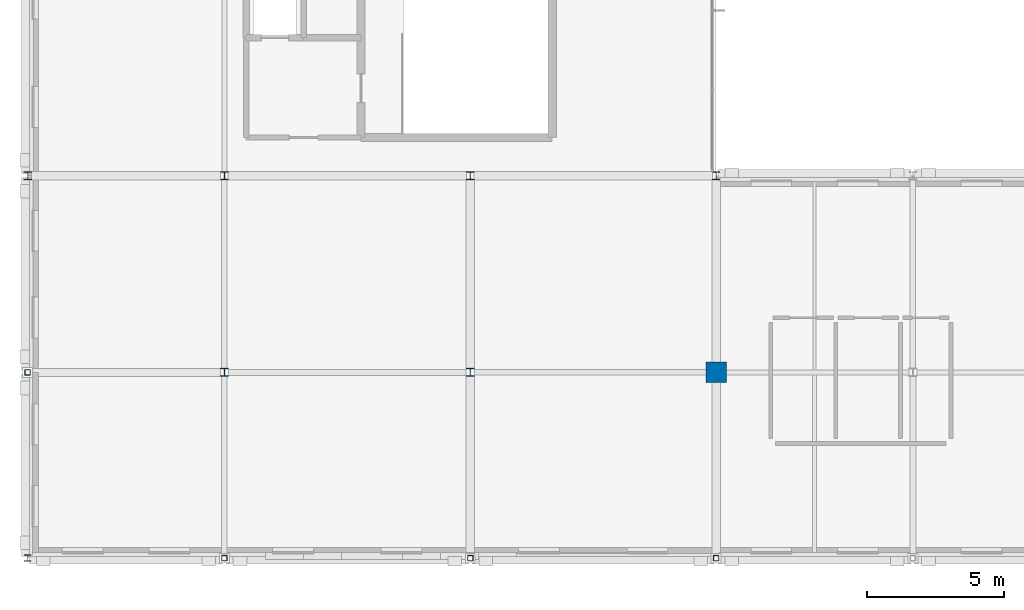
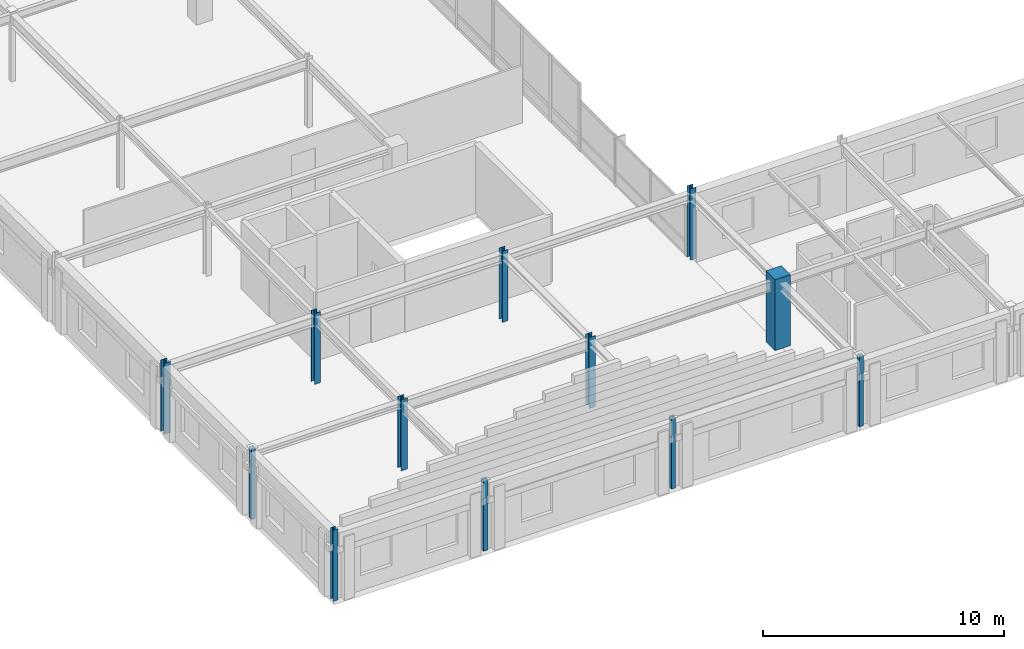
# One storey, part 1 of 74: 12 columns.
"""IFC4 building model written with IfcOpenShell, lengths in metres."""

from ifc_helpers import new_model, si_unit, direction, frame, origin, origin_with_axes, origin_2d, place, context, subcontext, project, spatial, rectangle, hollow_rectangle, i_section, extrude, material, material_profile, profile_set, type_object, element, save


model = new_model("IFC4")

# Units and contexts
model_context = context("Model", 3, precision=1e-05, world=origin(), true_north=direction((0.0, 1.0)))
body_context = subcontext(model_context, "Body", "Model", "MODEL_VIEW")
ifc_project = project(units=[si_unit("LENGTHUNIT", "METRE"), si_unit("AREAUNIT", "SQUARE_METRE"), si_unit("VOLUMEUNIT", "CUBIC_METRE"), si_unit("PLANEANGLEUNIT", "RADIAN"), si_unit("MASSUNIT", "GRAM", prefix="KILO")], contexts=[model_context])

# Site, building, storey
site_placement = place(None, origin())
site = spatial("IfcSite", under=ifc_project, at=site_placement, CompositionType="ELEMENT")
building_placement = place(site_placement, origin())
building = spatial("IfcBuilding", under=site, at=building_placement, Name="Clarverna Civic Hall", CompositionType="ELEMENT")
storey_placement = place(building_placement, frame((0.0, 0.0, 13.199951171875)))
storey = spatial("IfcBuildingStorey", under=building, at=storey_placement, Name="L03", CompositionType="ELEMENT", Elevation=13.199951171875)

# Columns
ifc_material_1 = material(Name="Concrete C40/50", Category="concrete")
ifc_material_profile_1 = material_profile(ifc_material_1, rectangle(XDim=0.75, YDim=0.75, at=origin_2d()), Name="RC 750x750")
ifc_profile_set_1 = profile_set([ifc_material_profile_1], Name="Concrete C40/50")
column_type_1 = type_object("IfcColumnType", Name="C-RC5", PredefinedType="COLUMN", material=ifc_profile_set_1)
column_1_placement = place(storey_placement, frame((25.199951171875, 6.800048828125, 0.0), z_axis=(0.0, 0.0, 1.0), x_axis=(1.0, 0.0, 0.0)))
element("IfcColumn", 1, at=column_1_placement, inside=storey, type_object=column_type_1, Name="C-RC5-018", PredefinedType="COLUMN", context=body_context, shape_type="SweptSolid", body=[
    extrude(rectangle(XDim=0.75, YDim=0.75, at=origin_2d()), origin(), (0.0, 0.0, 1.0), 3.60009765625),
])
ifc_material_2 = material(Name="Steel S355", Category="steel")
ifc_material_profile_2 = material_profile(ifc_material_2, i_section(OverallWidth=0.239990234375, OverallDepth=0.239990234375, WebThickness=0.010009765625, FlangeThickness=0.01708984375, FilletRadius=0.02099609375, at=origin_2d()), Name="HEB 240")
ifc_profile_set_2 = profile_set([ifc_material_profile_2], Name="Steel S355")
column_type_2 = type_object("IfcColumnType", Name="C-ST10", PredefinedType="COLUMN", material=ifc_profile_set_2)
column_2_placement = place(storey_placement, origin_with_axes())
element("IfcColumn", 2, at=column_2_placement, inside=storey, type_object=column_type_2, Name="C-ST10-001", PredefinedType="COLUMN", context=body_context, shape_type="SweptSolid", body=[
    extrude(i_section(OverallWidth=0.239990234375, OverallDepth=0.239990234375, WebThickness=0.010009765625, FlangeThickness=0.01708984375, FilletRadius=0.02099609375, at=origin_2d()), origin(), (0.0, 0.0, 1.0), 3.60009765625),
])
ifc_material_profile_3 = material_profile(ifc_material_2, hollow_rectangle(XDim=0.199951171875, YDim=0.199951171875, WallThickness=0.010009765625, at=origin_2d()), Name="RHS 200x200x10.0")
ifc_profile_set_3 = profile_set([ifc_material_profile_3], Name="Steel S355")
column_type_3 = type_object("IfcColumnType", Name="C-ST18", PredefinedType="COLUMN", material=ifc_profile_set_3)
for number, where, z_axis, x_axis, name in (
    (3, (0.0, 6.800048828125, 0.0), (0.0, 0.0, 1.0), (1.0, 0.0, 0.0), "C-ST18-001"),
    (4, (7.199951171875, 0.0, 0.0), (0.0, 0.0, 1.0), (1.0, 0.0, 0.0), "C-ST18-003"),
    (5, (16.199951171875, 0.0, 0.0), (0.0, 0.0, 1.0), (1.0, 0.0, 0.0), "C-ST18-005"),
    (6, (25.199951171875, 0.0, 0.0), (0.0, 0.0, 1.0), (1.0, 0.0, 0.0), "C-ST18-006"),
):
    element("IfcColumn", number, at=place(storey_placement, frame(where, z_axis=z_axis, x_axis=x_axis)), inside=storey, type_object=column_type_3, Name=name, PredefinedType="COLUMN", context=body_context, shape_type="SweptSolid", body=[
        extrude(hollow_rectangle(XDim=0.199951171875, YDim=0.199951171875, WallThickness=0.010009765625, at=origin_2d()), origin(), (0.0, 0.0, 1.0), 3.60009765625),
    ])
ifc_material_profile_4 = material_profile(ifc_material_2, i_section(OverallWidth=0.300048828125, OverallDepth=0.300048828125, WebThickness=0.010986328125, FlangeThickness=0.01904296875, FilletRadius=0.027099609375, at=origin_2d()), Name="HEB 300")
ifc_profile_set_4 = profile_set([ifc_material_profile_4], Name="Steel S355")
column_type_4 = type_object("IfcColumnType", Name="C-ST7", PredefinedType="COLUMN", material=ifc_profile_set_4)
for number, where, z_axis, x_axis, name in (
    (7, (0.0, 14.0, 0.0), (0.0, 0.0, 1.0), (1.0, 0.0, 0.0), "C-ST7-001"),
    (8, (7.199951171875, 6.800048828125, 0.0), (0.0, 0.0, 1.0), (1.0, 0.0, 0.0), "C-ST7-002"),
    (9, (16.199951171875, 6.800048828125, 0.0), (0.0, 0.0, 1.0), (1.0, 0.0, 0.0), "C-ST7-004"),
):
    element("IfcColumn", number, at=place(storey_placement, frame(where, z_axis=z_axis, x_axis=x_axis)), inside=storey, type_object=column_type_4, Name=name, PredefinedType="COLUMN", context=body_context, shape_type="SweptSolid", body=[
        extrude(i_section(OverallWidth=0.300048828125, OverallDepth=0.300048828125, WebThickness=0.010986328125, FlangeThickness=0.01904296875, FilletRadius=0.027099609375, at=origin_2d()), origin(), (0.0, 0.0, 1.0), 3.60009765625),
    ])
ifc_material_profile_5 = material_profile(ifc_material_2, i_section(OverallWidth=0.280029296875, OverallDepth=0.280029296875, WebThickness=0.010498046875, FlangeThickness=0.01806640625, FilletRadius=0.02392578125, at=origin_2d()), Name="HEB 280")
ifc_profile_set_5 = profile_set([ifc_material_profile_5], Name="Steel S355")
column_type_5 = type_object("IfcColumnType", Name="C-ST8", PredefinedType="COLUMN", material=ifc_profile_set_5)
for number, where, z_axis, x_axis, name in (
    (10, (7.199951171875, 14.0, 0.0), (0.0, 0.0, 1.0), (1.0, 0.0, 0.0), "C-ST8-002"),
    (11, (16.199951171875, 14.0, 0.0), (0.0, 0.0, 1.0), (1.0, 0.0, 0.0), "C-ST8-003"),
    (12, (25.199951171875, 14.0, 0.0), (0.0, 0.0, 1.0), (1.0, 0.0, 0.0), "C-ST8-004"),
):
    element("IfcColumn", number, at=place(storey_placement, frame(where, z_axis=z_axis, x_axis=x_axis)), inside=storey, type_object=column_type_5, Name=name, PredefinedType="COLUMN", context=body_context, shape_type="SweptSolid", body=[
        extrude(i_section(OverallWidth=0.280029296875, OverallDepth=0.280029296875, WebThickness=0.010498046875, FlangeThickness=0.01806640625, FilletRadius=0.02392578125, at=origin_2d()), origin(), (0.0, 0.0, 1.0), 3.60009765625),
    ])

save(model, "model.ifc")
